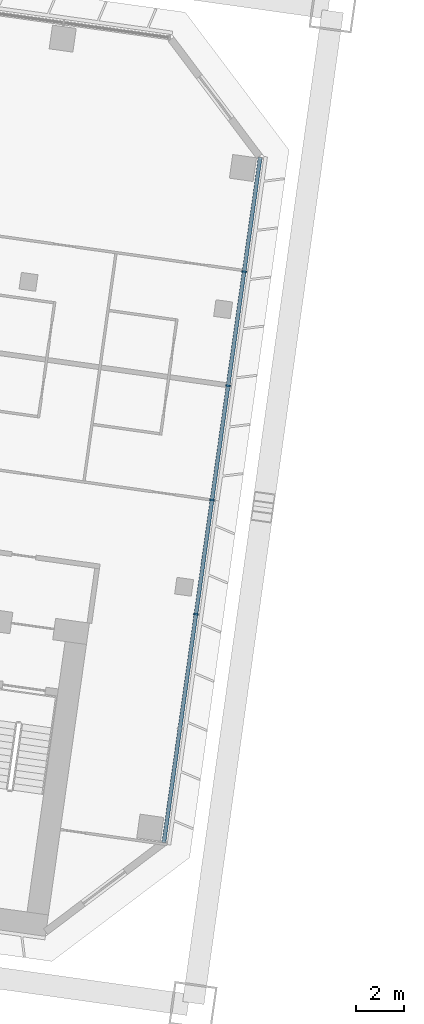
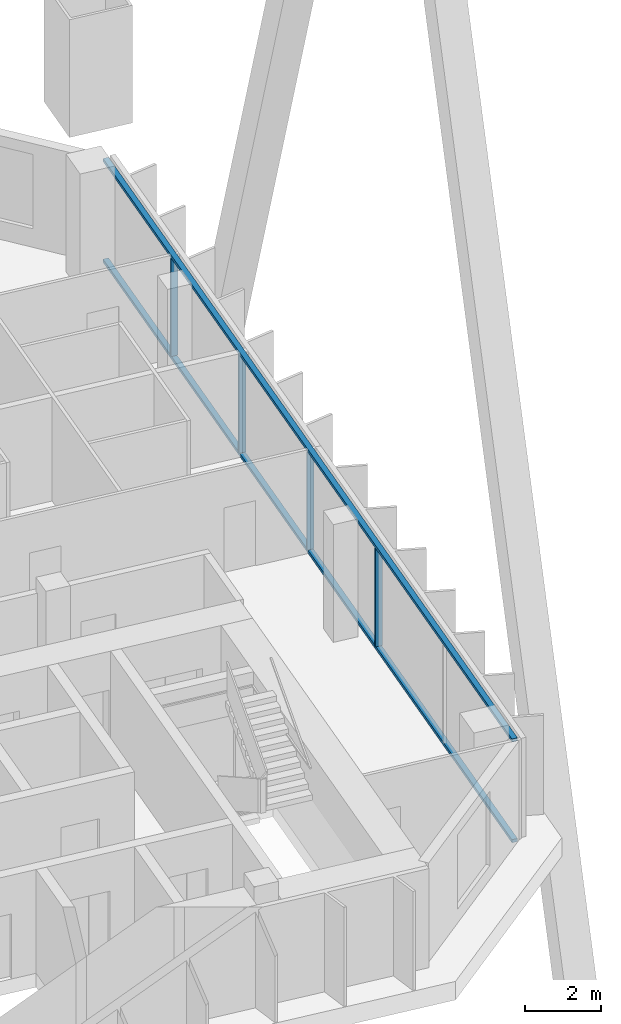
# One storey, part 16 of 49: 6 members, 1 element without a shape of its own.
"""IFC4 building model written with IfcOpenShell, lengths in metres."""

from ifc_helpers import new_model, si_unit, direction, frame, origin, origin_2d, place, context, subcontext, project, spatial, rectangle, extrude, material, material_profile, profile_set, type_object, element, aggregate, save


model = new_model("IFC4")

# Units and contexts
model_context = context("Model", 3, precision=1e-05, world=origin(), true_north=direction((0.0, 1.0)))
body_context = subcontext(model_context, "Body", "Model", "MODEL_VIEW")
ifc_project = project(units=[si_unit("LENGTHUNIT", "METRE"), si_unit("AREAUNIT", "SQUARE_METRE"), si_unit("VOLUMEUNIT", "CUBIC_METRE"), si_unit("PLANEANGLEUNIT", "RADIAN"), si_unit("MASSUNIT", "GRAM", prefix="KILO")], contexts=[model_context])

# Site, building, storey
site_placement = place(None, origin())
site = spatial("IfcSite", under=ifc_project, at=site_placement, CompositionType="ELEMENT")
building_placement = place(site_placement, origin())
building = spatial("IfcBuilding", under=site, at=building_placement, Name="Mirante Cascada Hotel Towers", CompositionType="ELEMENT")
storey_placement = place(building_placement, frame((0.0, 0.0, 66.1)))
storey = spatial("IfcBuildingStorey", under=building, at=storey_placement, Name="L13", CompositionType="ELEMENT", Elevation=66.1)

# Curtain wall, members
ifc_material_1 = material(Name="Aluminium mullion and transom frame with clear laminated glass", Category="aluminium")
curtain_wall_type = type_object("IfcCurtainWallType", Name="End ribbon curtain wall ECW2", PredefinedType="NOTDEFINED", material=ifc_material_1)
curtain_wall_placement = place(storey_placement, origin())
curtain_wall = element("IfcCurtainWall", 1, at=curtain_wall_placement, inside=storey, type_object=curtain_wall_type, Name="Inner end wall T1 L13", PredefinedType="NOTDEFINED")
ifc_material_2 = material(Name="Anodised aluminium extrusion", Category="aluminium")
ifc_material_profile_1 = material_profile(ifc_material_2, rectangle(XDim=0.2, YDim=0.065, at=origin_2d()), Name="ECW2 MULLION 65x200")
ifc_profile_set_1 = profile_set([ifc_material_profile_1], Name="Anodised aluminium extrusion")
member_type_1 = type_object("IfcMemberType", Name="ECW2 mullion 65x200", PredefinedType="MULLION", material=ifc_profile_set_1)
member_1_placement = place(storey_placement, frame((-28.809, 7.5524, 0.1), z_axis=(0.0, 0.0, 1.0), x_axis=(0.9902681, -0.1391731, 0.0)))
member_1 = element("IfcMember", 2, at=member_1_placement, type_object=member_type_1, Name="ECW2 mullion 2", PredefinedType="MULLION", context=body_context, shape_type="SweptSolid", body=[
    extrude(rectangle(XDim=0.2, YDim=0.065, at=origin_2d()), origin(), (0.0, 0.0, 1.0), 3.15),
])
member_2_placement = place(storey_placement, frame((-29.4788, 2.7867, 0.1), z_axis=(0.0, 0.0, 1.0), x_axis=(0.9902681, -0.1391731, 0.0)))
member_2 = element("IfcMember", 3, at=member_2_placement, type_object=member_type_1, Name="ECW2 mullion 3", PredefinedType="MULLION", context=body_context, shape_type="SweptSolid", body=[
    extrude(rectangle(XDim=0.2, YDim=0.065, at=origin_2d()), origin(), (0.0, 0.0, 1.0), 3.15),
])
member_3_placement = place(storey_placement, frame((-30.1485, -1.9791, 0.1), z_axis=(0.0, 0.0, 1.0), x_axis=(0.9902681, -0.1391731, 0.0)))
member_3 = element("IfcMember", 4, at=member_3_placement, type_object=member_type_1, Name="ECW2 mullion 4", PredefinedType="MULLION", context=body_context, shape_type="SweptSolid", body=[
    extrude(rectangle(XDim=0.2, YDim=0.065, at=origin_2d()), origin(), (0.0, 0.0, 1.0), 3.15),
])
member_4_placement = place(storey_placement, frame((-30.8183, -6.7449, 0.1), z_axis=(0.0, 0.0, 1.0), x_axis=(0.9902681, -0.1391731, 0.0)))
member_4 = element("IfcMember", 5, at=member_4_placement, type_object=member_type_1, Name="ECW2 mullion 5", PredefinedType="MULLION", context=body_context, shape_type="SweptSolid", body=[
    extrude(rectangle(XDim=0.2, YDim=0.065, at=origin_2d()), origin(), (0.0, 0.0, 1.0), 3.15),
])
ifc_material_3 = material(Name="Anodised aluminium extrusion", Category="aluminium")
ifc_material_profile_2 = material_profile(ifc_material_3, rectangle(XDim=0.16, YDim=0.1, at=origin_2d()), Name="ECW2 TRANSOM 100x160")
ifc_profile_set_2 = profile_set([ifc_material_profile_2], Name="Anodised aluminium extrusion")
member_type_2 = type_object("IfcMemberType", Name="ECW2 transom 100x160", PredefinedType="USERDEFINED", material=ifc_profile_set_2)
member_5_placement = place(storey_placement, frame((-28.1392, 12.3182, 0.05), z_axis=(-0.1391723, -0.9902682, 0.0), x_axis=(0.9902682, -0.1391723, 0.0)))
member_5 = element("IfcMember", 6, at=member_5_placement, type_object=member_type_2, Name="ECW2 sill transom", ObjectType="TRANSOM", PredefinedType="USERDEFINED", context=body_context, shape_type="SweptSolid", body=[
    extrude(rectangle(XDim=0.16, YDim=0.1, at=origin_2d()), origin(), (0.0, 0.0, 1.0), 28.8757),
])
member_6_placement = place(storey_placement, frame((-28.1392, 12.3182, 3.3), z_axis=(-0.1391723, -0.9902682, 0.0), x_axis=(0.9902682, -0.1391723, 0.0)))
member_6 = element("IfcMember", 7, at=member_6_placement, type_object=member_type_2, Name="ECW2 head transom", ObjectType="TRANSOM", PredefinedType="USERDEFINED", context=body_context, shape_type="SweptSolid", body=[
    extrude(rectangle(XDim=0.16, YDim=0.1, at=origin_2d()), origin(), (0.0, 0.0, 1.0), 28.8757),
])
aggregate(curtain_wall, [member_5, member_6, member_1, member_2, member_3, member_4])

save(model, "model.ifc")
